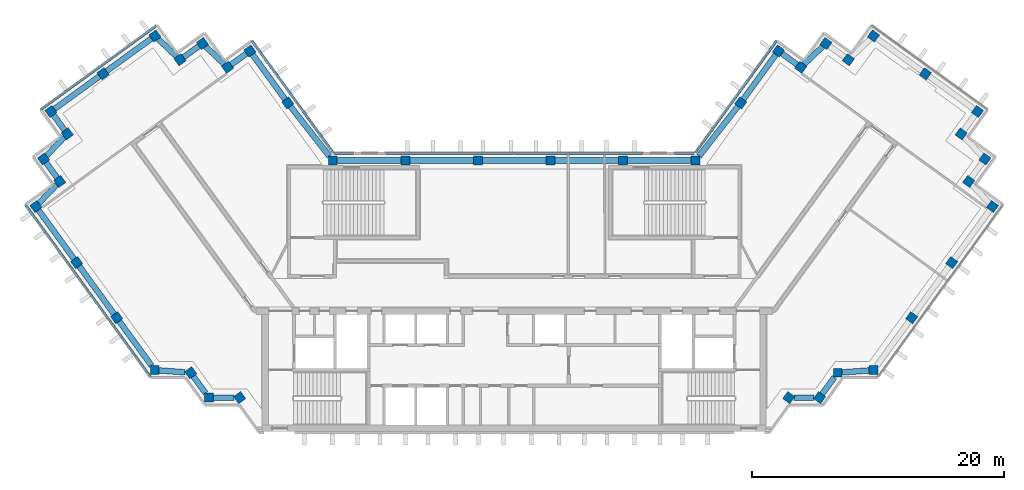
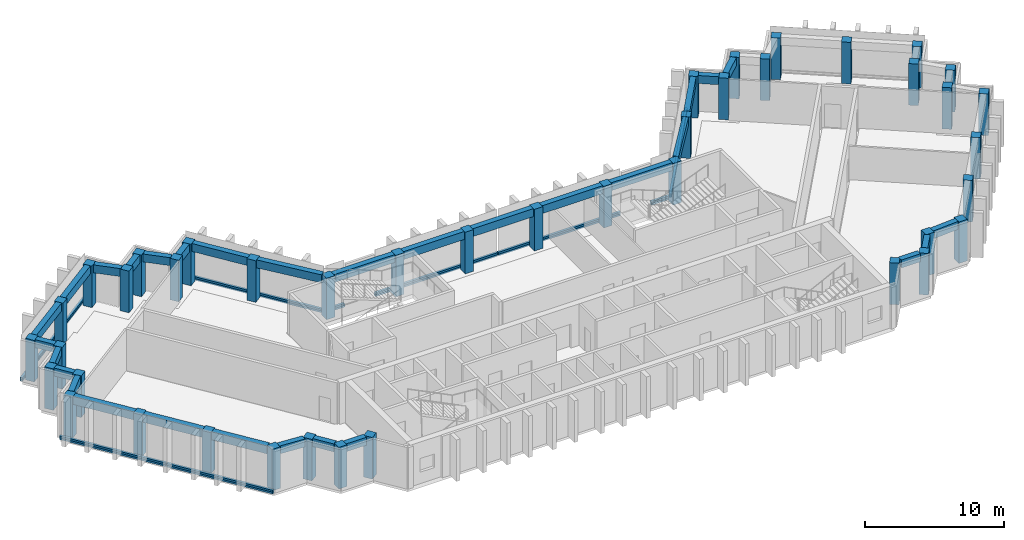
"""IFC4 building model written with IfcOpenShell, lengths in metres."""

from ifc_helpers import new_model, si_unit, direction, frame, origin, origin_2d, place, context, subcontext, project, spatial, rectangle, extrude, material, material_profile, profile_set, type_object, element, aggregate, save


model = new_model("IFC4")

# Units and contexts
model_context = context("Model", 3, precision=1e-05, world=origin(), true_north=direction((0.0, 1.0)))
body_context = subcontext(model_context, "Body", "Model", "MODEL_VIEW")
ifc_project = project(units=[si_unit("LENGTHUNIT", "METRE"), si_unit("AREAUNIT", "SQUARE_METRE"), si_unit("VOLUMEUNIT", "CUBIC_METRE"), si_unit("PLANEANGLEUNIT", "RADIAN"), si_unit("MASSUNIT", "GRAM", prefix="KILO")], contexts=[model_context])

# Site, building, storey
site_placement = place(None, origin())
site = spatial("IfcSite", under=ifc_project, at=site_placement, CompositionType="ELEMENT")
building_placement = place(site_placement, origin())
building = spatial("IfcBuilding", under=site, at=building_placement, Name="Quipu Civic Tower", CompositionType="ELEMENT")
storey_1_placement = place(building_placement, frame((0.0, 0.0, 343.0)))
storey_1 = spatial("IfcBuildingStorey", under=building, at=storey_1_placement, Name="L80", CompositionType="ELEMENT", Elevation=343.0)

# Columns
ifc_material_1 = material(Name="Concrete C40/50", Category="concrete")
ifc_material_profile_1 = material_profile(ifc_material_1, rectangle(XDim=0.699951171875, YDim=0.699951171875, at=origin_2d()), Name="RC700x700")
ifc_profile_set_1 = profile_set([ifc_material_profile_1], Name="Concrete C40/50")
column_type = type_object("IfcColumnType", Name="Perimeter column RC 700x700 C40/50", PredefinedType="COLUMN", material=ifc_profile_set_1)
for number, where, z_axis, x_axis, name in (
    (1, (-17.9736328125, 15.074951171875, 0.0), (0.0, 0.0, 1.0), (-0.587785252292, 0.809016994375, 0.0), "Column L80 W-IN-01"),
    (2, (-20.969970703125, 19.195068359375, 0.0), (0.0, 0.0, 1.0), (-0.587785252292, 0.809016994375, 0.0), "Column L80 T-Wi.0-W22"),
    (3, (-22.749267578125, 17.904296875, 0.0), (0.0, 0.0, 1.0), (-0.587785252292, 0.809016994375, 0.0), "Column L80 T-Wi.1-W22"),
    (4, (-24.739990234375, 19.794921875, 0.0), (0.0, 0.0, 1.0), (-0.587785252292, 0.809016994375, 0.0), "Column L80 T-Wi.2-W22"),
    (5, (-26.51904296875, 18.50048828125, 0.0), (0.0, 0.0, 1.0), (-0.587785252292, 0.809016994375, 0.0), "Column L80 T-Wi.3-W22"),
    (6, (-28.510009765625, 20.389892578125, 0.0), (0.0, 0.0, 1.0), (-0.809016994375, -0.587785252292, 0.0), "Column L80 T-Wi.4-W22"),
    (7, (-32.636962890625, 17.39306640625, 0.0), (0.0, 0.0, 1.0), (-0.809016994375, -0.587785252292, 0.0), "Column L80 TIP-W-01-W22"),
    (8, (-36.764892578125, 14.39501953125, 0.0), (0.0, 0.0, 1.0), (0.587785252292, -0.809016994375, 0.0), "Column L80 T-Wo.0-W22"),
    (9, (-35.470703125, 12.616455078125, 0.0), (0.0, 0.0, 1.0), (-0.809016994375, -0.587785252292, 0.0), "Column L80 T-Wo.1-W22"),
    (10, (-37.360107421875, 10.625, 0.0), (0.0, 0.0, 1.0), (0.587785252292, -0.809016994375, 0.0), "Column L80 T-Wo.2-W22"),
    (11, (-36.068115234375, 8.843994140625, 0.0), (0.0, 0.0, 1.0), (0.587785252292, -0.809016994375, 0.0), "Column L80 T-Wo.3-W22"),
    (12, (-37.9599609375, 6.85498046875, 0.0), (0.0, 0.0, 1.0), (0.587785252292, -0.809016994375, 0.0), "Column L80 T-Wo.4-W22"),
    (13, (-34.722412109375, 2.39990234375, 0.0), (0.0, 0.0, 1.0), (0.587785252292, -0.809016994375, 0.0), "Column L80 W-OUT-02"),
    (14, (-31.54833984375, -1.96875, 0.0), (0.0, 0.0, 1.0), (0.587785252292, -0.809016994375, 0.0), "Column L80 W-OUT-01"),
    (15, (-28.52490234375, -6.1298828125, 0.0), (0.0, 0.0, 1.0), (1.0, 0.0, 0.0), "Column L80 J-Wo.0"),
    (16, (-25.67431640625, -6.3369140625, 0.0), (0.0, 0.0, 1.0), (0.587785252292, -0.809016994375, 0.0), "Column L80 J-Wo.1"),
    (17, (-24.235107421875, -8.31494140625, 0.0), (0.0, 0.0, 1.0), (1.0, 0.0, 0.0), "Column L80 J-Wo.2"),
    (18, (-21.791748046875, -8.31494140625, 0.0), (0.0, 0.0, 1.0), (0.587785252292, -0.809016994375, 0.0), "Column L80 J-Wo.3"),
    (19, (21.791748046875, -8.31494140625, 0.0), (0.0, 0.0, 1.0), (0.587785252292, 0.809016994375, 0.0), "Column L80 J-Eo.1"),
    (20, (24.235107421875, -8.31494140625, 0.0), (0.0, 0.0, 1.0), (0.587785252292, 0.809016994375, 0.0), "Column L80 J-Eo.2"),
    (21, (25.67431640625, -6.3369140625, 0.0), (0.0, 0.0, 1.0), (1.0, 0.0, 0.0), "Column L80 J-Eo.3"),
    (22, (28.52490234375, -6.1298828125, 0.0), (0.0, 0.0, 1.0), (1.0, 0.0, 0.0), "Column L80 J-Eo.4"),
    (23, (31.54833984375, -1.96875, 0.0), (0.0, 0.0, 1.0), (0.587785252292, 0.809016994375, 0.0), "Column L80 E-OUT-01"),
    (24, (34.722412109375, 2.39990234375, 0.0), (0.0, 0.0, 1.0), (0.587785252292, 0.809016994375, 0.0), "Column L80 E-OUT-02"),
    (25, (37.9599609375, 6.85498046875, 0.0), (0.0, 0.0, 1.0), (0.587785252292, 0.809016994375, 0.0), "Column L80 T-Eo.0-E22"),
    (26, (36.068115234375, 8.843994140625, 0.0), (0.0, 0.0, 1.0), (0.587785252292, 0.809016994375, 0.0), "Column L80 T-Eo.1-E22"),
    (27, (37.360107421875, 10.625, 0.0), (0.0, 0.0, 1.0), (0.587785252292, 0.809016994375, 0.0), "Column L80 T-Eo.2-E22"),
    (28, (35.470703125, 12.616455078125, 0.0), (0.0, 0.0, 1.0), (-0.809016994375, 0.587785252292, 0.0), "Column L80 T-Eo.3-E22"),
    (29, (36.764892578125, 14.39501953125, 0.0), (0.0, 0.0, 1.0), (-0.809016994375, 0.587785252292, 0.0), "Column L80 T-Eo.4-E22"),
    (30, (32.636962890625, 17.39306640625, 0.0), (0.0, 0.0, 1.0), (-0.809016994375, 0.587785252292, 0.0), "Column L80 TIP-E-01-E22"),
    (31, (28.510009765625, 20.389892578125, 0.0), (0.0, 0.0, 1.0), (-0.587785252292, -0.809016994375, 0.0), "Column L80 T-Ei.0-E22"),
    (32, (26.51904296875, 18.50048828125, 0.0), (0.0, 0.0, 1.0), (-0.809016994375, 0.587785252292, 0.0), "Column L80 T-Ei.1-E22"),
    (33, (24.739990234375, 19.794921875, 0.0), (0.0, 0.0, 1.0), (-0.587785252292, -0.809016994375, 0.0), "Column L80 T-Ei.2-E22"),
    (34, (22.749267578125, 17.904296875, 0.0), (0.0, 0.0, 1.0), (-0.587785252292, -0.809016994375, 0.0), "Column L80 T-Ei.3-E22"),
    (35, (20.969970703125, 19.195068359375, 0.0), (0.0, 0.0, 1.0), (-0.587785252292, -0.809016994375, 0.0), "Column L80 T-Ei.4-E22"),
    (36, (17.9736328125, 15.074951171875, 0.0), (0.0, 0.0, 1.0), (-0.587785252292, -0.809016994375, 0.0), "Column L80 E-IN-01"),
    (37, (14.395263671875, 10.5, 0.0), (0.0, 0.0, 1.0), (-1.0, 0.0, 0.0), "Column L80 J-Ei.0"),
    (38, (8.63720703125, 10.5, 0.0), (0.0, 0.0, 1.0), (-1.0, 0.0, 0.0), "Column L80 FRONT-01"),
    (39, (2.87890625, 10.5, 0.0), (0.0, 0.0, 1.0), (-1.0, 0.0, 0.0), "Column L80 FRONT-02"),
    (40, (-2.87890625, 10.5, 0.0), (0.0, 0.0, 1.0), (-1.0, 0.0, 0.0), "Column L80 FRONT-03"),
    (41, (-8.63720703125, 10.5, 0.0), (0.0, 0.0, 1.0), (-1.0, 0.0, 0.0), "Column L80 FRONT-04"),
    (42, (-14.395263671875, 10.5, 0.0), (0.0, 0.0, 1.0), (-1.0, 0.0, 0.0), "Column L80 J-Wi.0"),
):
    element("IfcColumn", number, at=place(storey_1_placement, frame(where, z_axis=z_axis, x_axis=x_axis)), inside=storey_1, type_object=column_type, Name=name, PredefinedType="COLUMN", context=body_context, shape_type="SweptSolid", body=[
        extrude(rectangle(XDim=0.699951171875, YDim=0.699951171875, at=origin_2d()), origin(), (0.0, 0.0, 1.0), 3.64990234375),
    ])

# Beams
ifc_material_2 = material(Name="Concrete C50/60", Category="concrete")
ifc_material_profile_2 = material_profile(ifc_material_2, rectangle(XDim=0.449951171875, YDim=0.699951171875, at=origin_2d()), Name="RC450x700")
ifc_profile_set_2 = profile_set([ifc_material_profile_2], Name="Concrete C50/60")
beam_type = type_object("IfcBeamType", Name="Spandrel beam RC 450x700 C50/60", PredefinedType="SPANDREL", material=ifc_profile_set_2)
beam_1_placement = place(storey_1_placement, frame((-18.179443359375, 15.358154296875, 3.300048828125), z_axis=(-0.588201428764, 0.808714460857, 0.0), x_axis=(-0.808714460857, -0.588201428764, 0.0)))
element("IfcBeam", 43, at=beam_1_placement, inside=storey_1, type_object=beam_type, Name="Spandrel beam L80 W-IN-01 to T-Wi.0-W22", PredefinedType="SPANDREL", context=body_context, shape_type="SweptSolid", body=[
    extrude(rectangle(XDim=0.449951171875, YDim=0.699951171875, at=origin_2d()), origin(), (0.0, 0.0, 1.0), 4.394287109375),
])
beam_2_placement = place(storey_1_placement, frame((-21.25341796875, 18.989501953125, 3.300048828125), z_axis=(-0.809461336076, -0.587173181776, 0.0), x_axis=(0.587173181776, -0.809461336076, 0.0)))
element("IfcBeam", 44, at=beam_2_placement, inside=storey_1, type_object=beam_type, Name="Spandrel beam L80 T-Wi.0-W22 to T-Wi.1-W22", PredefinedType="SPANDREL", context=body_context, shape_type="SweptSolid", body=[
    extrude(rectangle(XDim=0.449951171875, YDim=0.699951171875, at=origin_2d()), origin(), (0.0, 0.0, 1.0), 1.498046875),
])
beam_3_placement = place(storey_1_placement, frame((-23.00732421875, 18.1494140625, 3.300048828125), z_axis=(-0.72511931772, 0.6886232461, 0.0), x_axis=(-0.6886232461, -0.72511931772, 0.0)))
element("IfcBeam", 45, at=beam_3_placement, inside=storey_1, type_object=beam_type, Name="Spandrel beam L80 T-Wi.1-W22 to T-Wi.2-W22", PredefinedType="SPANDREL", context=body_context, shape_type="SweptSolid", body=[
    extrude(rectangle(XDim=0.449951171875, YDim=0.699951171875, at=origin_2d()), origin(), (0.0, 0.0, 1.0), 2.03369140625),
])
beam_4_placement = place(storey_1_placement, frame((-25.02294921875, 19.589111328125, 3.300048828125), z_axis=(-0.808644589435, -0.588297482553, 0.0), x_axis=(0.588297482553, -0.808644589435, 0.0)))
element("IfcBeam", 46, at=beam_4_placement, inside=storey_1, type_object=beam_type, Name="Spandrel beam L80 T-Wi.2-W22 to T-Wi.3-W22", PredefinedType="SPANDREL", context=body_context, shape_type="SweptSolid", body=[
    extrude(rectangle(XDim=0.449951171875, YDim=0.699951171875, at=origin_2d()), origin(), (0.0, 0.0, 1.0), 1.500244140625),
])
beam_5_placement = place(storey_1_placement, frame((-26.777099609375, 18.74560546875, 3.300048828125), z_axis=(-0.725359138958, 0.688370626574, 0.0), x_axis=(-0.688370626574, -0.725359138958, 0.0)))
element("IfcBeam", 47, at=beam_5_placement, inside=storey_1, type_object=beam_type, Name="Spandrel beam L80 T-Wi.3-W22 to T-Wi.4-W22", PredefinedType="SPANDREL", context=body_context, shape_type="SweptSolid", body=[
    extrude(rectangle(XDim=0.449951171875, YDim=0.699951171875, at=origin_2d()), origin(), (0.0, 0.0, 1.0), 2.032958984375),
])
beam_6_placement = place(storey_1_placement, frame((-28.793212890625, 20.184326171875, 3.300048828125), z_axis=(-0.809146152767, -0.587607439931, 0.0), x_axis=(0.587607439931, -0.809146152767, 0.0)))
element("IfcBeam", 48, at=beam_6_placement, inside=storey_1, type_object=beam_type, Name="Spandrel beam L80 T-Wi.4-W22 to TIP-W-01-W22", PredefinedType="SPANDREL", context=body_context, shape_type="SweptSolid", body=[
    extrude(rectangle(XDim=0.449951171875, YDim=0.699951171875, at=origin_2d()), origin(), (0.0, 0.0, 1.0), 4.400390625),
])
beam_7_placement = place(storey_1_placement, frame((-32.920166015625, 17.187255859375, 3.300048828125), z_axis=(-0.809117270763, -0.587647208921, 0.0), x_axis=(0.587647208921, -0.809117270763, 0.0)))
element("IfcBeam", 49, at=beam_7_placement, inside=storey_1, type_object=beam_type, Name="Spandrel beam L80 TIP-W-01-W22 to T-Wo.0-W22", PredefinedType="SPANDREL", context=body_context, shape_type="SweptSolid", body=[
    extrude(rectangle(XDim=0.449951171875, YDim=0.699951171875, at=origin_2d()), origin(), (0.0, 0.0, 1.0), 4.40185546875),
])
beam_8_placement = place(storey_1_placement, frame((-36.55908203125, 14.112060546875, 3.300048828125), z_axis=(0.588345920092, -0.808609348394, 0.0), x_axis=(0.808609348394, 0.588345920092, 0.0)))
element("IfcBeam", 50, at=beam_8_placement, inside=storey_1, type_object=beam_type, Name="Spandrel beam L80 T-Wo.0-W22 to T-Wo.1-W22", PredefinedType="SPANDREL", context=body_context, shape_type="SweptSolid", body=[
    extrude(rectangle(XDim=0.449951171875, YDim=0.699951171875, at=origin_2d()), origin(), (0.0, 0.0, 1.0), 1.499755859375),
])
beam_9_placement = place(storey_1_placement, frame((-35.7158203125, 12.358154296875, 3.300048828125), z_axis=(-0.688247466856, -0.725475998477, 0.0), x_axis=(0.725475998477, -0.688247466856, 0.0)))
element("IfcBeam", 51, at=beam_9_placement, inside=storey_1, type_object=beam_type, Name="Spandrel beam L80 T-Wo.1-W22 to T-Wo.2-W22", PredefinedType="SPANDREL", context=body_context, shape_type="SweptSolid", body=[
    extrude(rectangle(XDim=0.449951171875, YDim=0.699951171875, at=origin_2d()), origin(), (0.0, 0.0, 1.0), 2.032958984375),
])
beam_10_placement = place(storey_1_placement, frame((-37.154541015625, 10.341796875, 3.300048828125), z_axis=(0.587164895097, -0.809467347066, 0.0), x_axis=(0.809467347066, 0.587164895097, 0.0)))
element("IfcBeam", 52, at=beam_10_placement, inside=storey_1, type_object=beam_type, Name="Spandrel beam L80 T-Wo.2-W22 to T-Wo.3-W22", PredefinedType="SPANDREL", context=body_context, shape_type="SweptSolid", body=[
    extrude(rectangle(XDim=0.449951171875, YDim=0.699951171875, at=origin_2d()), origin(), (0.0, 0.0, 1.0), 1.500244140625),
])
beam_11_placement = place(storey_1_placement, frame((-36.3134765625, 8.586181640625, 3.300048828125), z_axis=(-0.689175330605, -0.724594620244, 0.0), x_axis=(0.724594620244, -0.689175330605, 0.0)))
element("IfcBeam", 53, at=beam_11_placement, inside=storey_1, type_object=beam_type, Name="Spandrel beam L80 T-Wo.3-W22 to T-Wo.4-W22", PredefinedType="SPANDREL", context=body_context, shape_type="SweptSolid", body=[
    extrude(rectangle(XDim=0.449951171875, YDim=0.699951171875, at=origin_2d()), origin(), (0.0, 0.0, 1.0), 2.033447265625),
])
beam_12_placement = place(storey_1_placement, frame((-37.754150390625, 6.57177734375, 3.300048828125), z_axis=(0.587905928359, -0.808929304328, 0.0), x_axis=(0.808929304328, 0.587905928359, 0.0)))
element("IfcBeam", 54, at=beam_12_placement, inside=storey_1, type_object=beam_type, Name="Spandrel beam L80 T-Wo.4-W22 to W-OUT-02", PredefinedType="SPANDREL", context=body_context, shape_type="SweptSolid", body=[
    extrude(rectangle(XDim=0.449951171875, YDim=0.699951171875, at=origin_2d()), origin(), (0.0, 0.0, 1.0), 4.80712890625),
])
beam_13_placement = place(storey_1_placement, frame((-34.5166015625, 2.116943359375, 3.300048828125), z_axis=(0.587788656305, -0.809014521204, 0.0), x_axis=(0.809014521204, 0.587788656305, 0.0)))
element("IfcBeam", 55, at=beam_13_placement, inside=storey_1, type_object=beam_type, Name="Spandrel beam L80 W-OUT-02 to W-OUT-01", PredefinedType="SPANDREL", context=body_context, shape_type="SweptSolid", body=[
    extrude(rectangle(XDim=0.449951171875, YDim=0.699951171875, at=origin_2d()), origin(), (0.0, 0.0, 1.0), 4.7001953125),
])
beam_14_placement = place(storey_1_placement, frame((-31.342529296875, -2.251953125, 3.300048828125), z_axis=(0.58777550284, -0.809024077677, 0.0), x_axis=(0.809024077677, 0.58777550284, 0.0)))
element("IfcBeam", 56, at=beam_14_placement, inside=storey_1, type_object=beam_type, Name="Spandrel beam L80 W-OUT-01 to J-Wo.0", PredefinedType="SPANDREL", context=body_context, shape_type="SweptSolid", body=[
    extrude(rectangle(XDim=0.449951171875, YDim=0.699951171875, at=origin_2d()), origin(), (0.0, 0.0, 1.0), 4.36083984375),
])
beam_15_placement = place(storey_1_placement, frame((-28.175048828125, -6.155517578125, 3.300048828125), z_axis=(0.99737333325, -0.072432272649, 0.0), x_axis=(0.072432272649, 0.99737333325, 0.0)))
element("IfcBeam", 57, at=beam_15_placement, inside=storey_1, type_object=beam_type, Name="Spandrel beam L80 J-Wo.0 to J-Wo.1", PredefinedType="SPANDREL", context=body_context, shape_type="SweptSolid", body=[
    extrude(rectangle(XDim=0.449951171875, YDim=0.699951171875, at=origin_2d()), origin(), (0.0, 0.0, 1.0), 2.04931640625),
])
beam_16_placement = place(storey_1_placement, frame((-25.468505859375, -6.6201171875, 3.300048828125), z_axis=(0.588407300614, -0.80856468423, 0.0), x_axis=(0.80856468423, 0.588407300614, 0.0)))
element("IfcBeam", 58, at=beam_16_placement, inside=storey_1, type_object=beam_type, Name="Spandrel beam L80 J-Wo.1 to J-Wo.2", PredefinedType="SPANDREL", context=body_context, shape_type="SweptSolid", body=[
    extrude(rectangle(XDim=0.449951171875, YDim=0.699951171875, at=origin_2d()), origin(), (0.0, 0.0, 1.0), 1.663330078125),
])
beam_17_placement = place(storey_1_placement, frame((-23.885009765625, -8.31494140625, 3.300048828125), z_axis=(1.0, 0.0, 0.0), x_axis=(0.0, 1.0, 0.0)))
element("IfcBeam", 59, at=beam_17_placement, inside=storey_1, type_object=beam_type, Name="Spandrel beam L80 J-Wo.2 to J-Wo.3", PredefinedType="SPANDREL", context=body_context, shape_type="SweptSolid", body=[
    extrude(rectangle(XDim=0.449951171875, YDim=0.699951171875, at=origin_2d()), origin(), (0.0, 0.0, 1.0), 1.66064453125),
])
beam_18_placement = place(storey_1_placement, frame((22.224365234375, -8.31494140625, 3.300048828125), z_axis=(1.0, 0.0, 0.0), x_axis=(0.0, 1.0, 0.0)))
element("IfcBeam", 60, at=beam_18_placement, inside=storey_1, type_object=beam_type, Name="Spandrel beam L80 J-Eo.1 to J-Eo.2", PredefinedType="SPANDREL", context=body_context, shape_type="SweptSolid", body=[
    extrude(rectangle(XDim=0.449951171875, YDim=0.699951171875, at=origin_2d()), origin(), (0.0, 0.0, 1.0), 1.578125),
])
beam_19_placement = place(storey_1_placement, frame((24.44091796875, -8.031982421875, 3.300048828125), z_axis=(0.588407300614, 0.80856468423, 0.0), x_axis=(-0.80856468423, 0.588407300614, 0.0)))
element("IfcBeam", 61, at=beam_19_placement, inside=storey_1, type_object=beam_type, Name="Spandrel beam L80 J-Eo.2 to J-Eo.3", PredefinedType="SPANDREL", context=body_context, shape_type="SweptSolid", body=[
    extrude(rectangle(XDim=0.449951171875, YDim=0.699951171875, at=origin_2d()), origin(), (0.0, 0.0, 1.0), 1.663330078125),
])
beam_20_placement = place(storey_1_placement, frame((26.0244140625, -6.3115234375, 3.300048828125), z_axis=(0.997379352029, 0.072349347934, 0.0), x_axis=(-0.072349347934, 0.997379352029, 0.0)))
element("IfcBeam", 62, at=beam_20_placement, inside=storey_1, type_object=beam_type, Name="Spandrel beam L80 J-Eo.3 to J-Eo.4", PredefinedType="SPANDREL", context=body_context, shape_type="SweptSolid", body=[
    extrude(rectangle(XDim=0.449951171875, YDim=0.699951171875, at=origin_2d()), origin(), (0.0, 0.0, 1.0), 2.15625),
])
beam_21_placement = place(storey_1_placement, frame((24.48193359375, 19.5498046875, 3.300048828125), z_axis=(-0.72511931772, -0.6886232461, 0.0), x_axis=(0.6886232461, -0.72511931772, 0.0)))
element("IfcBeam", 63, at=beam_21_placement, inside=storey_1, type_object=beam_type, Name="Spandrel beam L80 T-Ei.2-E22 to T-Ei.3-E22", PredefinedType="SPANDREL", context=body_context, shape_type="SweptSolid", body=[
    extrude(rectangle(XDim=0.449951171875, YDim=0.699951171875, at=origin_2d()), origin(), (0.0, 0.0, 1.0), 2.03369140625),
])
beam_22_placement = place(storey_1_placement, frame((22.466064453125, 18.10986328125, 3.300048828125), z_axis=(-0.809461336076, 0.587173181776, 0.0), x_axis=(-0.587173181776, -0.809461336076, 0.0)))
element("IfcBeam", 64, at=beam_22_placement, inside=storey_1, type_object=beam_type, Name="Spandrel beam L80 T-Ei.3-E22 to T-Ei.4-E22", PredefinedType="SPANDREL", context=body_context, shape_type="SweptSolid", body=[
    extrude(rectangle(XDim=0.449951171875, YDim=0.699951171875, at=origin_2d()), origin(), (0.0, 0.0, 1.0), 1.498046875),
])
beam_23_placement = place(storey_1_placement, frame((20.76416015625, 18.911865234375, 3.300048828125), z_axis=(-0.588201428764, -0.808714460857, 0.0), x_axis=(0.808714460857, -0.588201428764, 0.0)))
element("IfcBeam", 65, at=beam_23_placement, inside=storey_1, type_object=beam_type, Name="Spandrel beam L80 T-Ei.4-E22 to E-IN-01", PredefinedType="SPANDREL", context=body_context, shape_type="SweptSolid", body=[
    extrude(rectangle(XDim=0.449951171875, YDim=0.699951171875, at=origin_2d()), origin(), (0.0, 0.0, 1.0), 4.394287109375),
])
beam_24_placement = place(storey_1_placement, frame((17.7578125, 14.799072265625, 3.300048828125), z_axis=(-0.616106034519, -0.787663223865, 0.0), x_axis=(0.787663223865, -0.616106034519, 0.0)))
element("IfcBeam", 66, at=beam_24_placement, inside=storey_1, type_object=beam_type, Name="Spandrel beam L80 E-IN-01 to J-Ei.0", PredefinedType="SPANDREL", context=body_context, shape_type="SweptSolid", body=[
    extrude(rectangle(XDim=0.449951171875, YDim=0.699951171875, at=origin_2d()), origin(), (0.0, 0.0, 1.0), 5.013427734375),
])
for number, where, z_axis, x_axis, name in (
    (67, (14.045166015625, 10.5, 3.300048828125), (-1.0, 0.0, 0.0), (0.0, -1.0, 0.0), "Spandrel beam L80 J-Ei.0 to FRONT-01"),
    (68, (8.287109375, 10.5, 3.300048828125), (-1.0, 0.0, 0.0), (0.0, -1.0, 0.0), "Spandrel beam L80 FRONT-01 to FRONT-02"),
    (69, (2.529052734375, 10.5, 3.300048828125), (-1.0, 0.0, 0.0), (0.0, -1.0, 0.0), "Spandrel beam L80 FRONT-02 to FRONT-03"),
    (70, (-3.22900390625, 10.5, 3.300048828125), (-1.0, 0.0, 0.0), (0.0, -1.0, 0.0), "Spandrel beam L80 FRONT-03 to FRONT-04"),
    (71, (-8.987060546875, 10.5, 3.300048828125), (-1.0, 0.0, 0.0), (0.0, -1.0, 0.0), "Spandrel beam L80 FRONT-04 to J-Wi.0"),
):
    element("IfcBeam", number, at=place(storey_1_placement, frame(where, z_axis=z_axis, x_axis=x_axis)), inside=storey_1, type_object=beam_type, Name=name, PredefinedType="SPANDREL", context=body_context, shape_type="SweptSolid", body=[
        extrude(rectangle(XDim=0.449951171875, YDim=0.699951171875, at=origin_2d()), origin(), (0.0, 0.0, 1.0), 5.05810546875),
    ])
beam_25_placement = place(storey_1_placement, frame((-14.6689453125, 10.85009765625, 3.300048828125), z_axis=(-0.616106034519, 0.787663223865, 0.0), x_axis=(-0.787663223865, -0.616106034519, 0.0)))
element("IfcBeam", 72, at=beam_25_placement, inside=storey_1, type_object=beam_type, Name="Spandrel beam L80 J-Wi.0 to W-IN-01", PredefinedType="SPANDREL", context=body_context, shape_type="SweptSolid", body=[
    extrude(rectangle(XDim=0.449951171875, YDim=0.699951171875, at=origin_2d()), origin(), (0.0, 0.0, 1.0), 5.013427734375),
])

# Storey
storey_2_placement = place(building_placement, frame((0.0, 0.0, 335.0)))
storey_2 = spatial("IfcBuildingStorey", under=building, at=storey_2_placement, Name="L78", CompositionType="ELEMENT", Elevation=335.0)

# Curtain wall, member
ifc_material_3 = material(Name="Insulated glass unit", Category="glass")
curtain_wall_type = type_object("IfcCurtainWallType", Name="Office curtain wall CW1", PredefinedType="NOTDEFINED", material=ifc_material_3)
curtain_wall_1_placement = place(storey_2_placement, origin())
curtain_wall_1 = element("IfcCurtainWall", 73, at=curtain_wall_1_placement, inside=storey_2, type_object=curtain_wall_type, Name="Office curtain wall CW1 L77 run 1", PredefinedType="NOTDEFINED")
ifc_material_4 = material(Name="Anodised aluminium", Category="aluminium")
ifc_material_profile_3 = material_profile(ifc_material_4, rectangle(XDim=0.199951171875, YDim=0.159912109375, at=origin_2d()), Name="RECT 200x160")
ifc_profile_set_3 = profile_set([ifc_material_profile_3], Name="Anodised aluminium")
member_type = type_object("IfcMemberType", Name="Transom CW1", PredefinedType="USERDEFINED", material=ifc_profile_set_3)
member_1_placement = place(storey_1_placement, frame((-14.39111328125, 11.164794921875, 0.0), z_axis=(-0.587796859727, 0.809008560953, 0.0), x_axis=(-0.809008560953, -0.587796859727, 0.0)))
member_1 = element("IfcMember", 74, at=member_1_placement, inside=storey_1, type_object=member_type, Name="CW1 transom 1.4", ObjectType="TRANSOM", PredefinedType="USERDEFINED", context=body_context, shape_type="SweptSolid", body=[
    extrude(rectangle(XDim=0.199951171875, YDim=0.159912109375, at=origin_2d()), origin(), (0.0, 0.0, 1.0), 10.88427734375),
])
aggregate(curtain_wall_1, [member_1])

curtain_wall_2_placement = place(storey_2_placement, origin())
curtain_wall_2 = element("IfcCurtainWall", 75, at=curtain_wall_2_placement, inside=storey_2, type_object=curtain_wall_type, Name="Office curtain wall CW1 L77 run 6", PredefinedType="NOTDEFINED")
member_2_placement = place(storey_1_placement, frame((-28.443359375, 21.1826171875, 0.0), z_axis=(-0.809022463805, -0.587777724194, 0.0), x_axis=(0.587777724194, -0.809022463805, 0.0)))
member_2 = element("IfcMember", 76, at=member_2_placement, inside=storey_1, type_object=member_type, Name="CW1 transom 1.4", ObjectType="TRANSOM", PredefinedType="USERDEFINED", context=body_context, shape_type="SweptSolid", body=[
    extrude(rectangle(XDim=0.199951171875, YDim=0.159912109375, at=origin_2d()), origin(), (0.0, 0.0, 1.0), 11.240234375),
])
aggregate(curtain_wall_2, [member_2])

# Curtain wall, members
curtain_wall_3_placement = place(storey_2_placement, origin())
curtain_wall_3 = element("IfcCurtainWall", 77, at=curtain_wall_3_placement, inside=storey_2, type_object=curtain_wall_type, Name="Office curtain wall CW1 L77 run 11", PredefinedType="NOTDEFINED")
member_3_placement = place(storey_1_placement, frame((-38.7490234375, 6.92138671875, 0.0), z_axis=(0.587779098815, -0.809021465102, 0.0), x_axis=(0.809021465102, 0.587779098815, 0.0)))
member_3 = element("IfcMember", 78, at=member_3_placement, inside=storey_1, type_object=member_type, Name="CW1 transom 1.4", ObjectType="TRANSOM", PredefinedType="USERDEFINED", context=body_context, shape_type="SweptSolid", body=[
    extrude(rectangle(XDim=0.199951171875, YDim=0.159912109375, at=origin_2d()), origin(), (0.0, 0.0, 1.0), 8.35791015625),
])
member_4_placement = place(storey_1_placement, frame((-33.78955078125, 0.094970703125, 0.0), z_axis=(0.587812107925, -0.808997481935, 0.0), x_axis=(0.808997481935, 0.587812107925, 0.0)))
member_4 = element("IfcMember", 79, at=member_4_placement, inside=storey_1, type_object=member_type, Name="CW1 transom 2.4", ObjectType="TRANSOM", PredefinedType="USERDEFINED", context=body_context, shape_type="SweptSolid", body=[
    extrude(rectangle(XDim=0.199951171875, YDim=0.159912109375, at=origin_2d()), origin(), (0.0, 0.0, 1.0), 8.35791015625),
])
aggregate(curtain_wall_3, [member_3, member_4])

# Curtain wall, member
curtain_wall_4_placement = place(storey_2_placement, origin())
curtain_wall_4 = element("IfcCurtainWall", 80, at=curtain_wall_4_placement, inside=storey_2, type_object=curtain_wall_type, Name="Office curtain wall CW1 L77 run 26", PredefinedType="NOTDEFINED")
member_5_placement = place(storey_1_placement, frame((20.788818359375, 19.97021484375, 0.0), z_axis=(-0.587796859727, -0.809008560953, 0.0), x_axis=(0.809008560953, -0.587796859727, 0.0)))
member_5 = element("IfcMember", 81, at=member_5_placement, inside=storey_1, type_object=member_type, Name="CW1 transom 1.4", ObjectType="TRANSOM", PredefinedType="USERDEFINED", context=body_context, shape_type="SweptSolid", body=[
    extrude(rectangle(XDim=0.199951171875, YDim=0.159912109375, at=origin_2d()), origin(), (0.0, 0.0, 1.0), 10.88427734375),
])
aggregate(curtain_wall_4, [member_5])

curtain_wall_5_placement = place(storey_2_placement, origin())
curtain_wall_5 = element("IfcCurtainWall", 82, at=curtain_wall_5_placement, inside=storey_2, type_object=curtain_wall_type, Name="Office curtain wall CW1 L77 run 27", PredefinedType="NOTDEFINED")
member_6_placement = place(storey_1_placement, frame((14.26416015625, 11.10009765625, 0.0), z_axis=(-1.0, 0.0, 0.0), x_axis=(0.0, -1.0, 0.0)))
member_6 = element("IfcMember", 83, at=member_6_placement, inside=storey_1, type_object=member_type, Name="CW1 transom 1.4", ObjectType="TRANSOM", PredefinedType="USERDEFINED", context=body_context, shape_type="SweptSolid", body=[
    extrude(rectangle(XDim=0.199951171875, YDim=0.159912109375, at=origin_2d()), origin(), (0.0, 0.0, 1.0), 1.529052734375),
])
aggregate(curtain_wall_5, [member_6])

# Curtain wall, members
curtain_wall_6_placement = place(storey_2_placement, origin())
curtain_wall_6 = element("IfcCurtainWall", 84, at=curtain_wall_6_placement, inside=storey_2, type_object=curtain_wall_type, Name="Office curtain wall CW1 L77 run 29", PredefinedType="NOTDEFINED")
member_7_placement = place(storey_1_placement, frame((10.18359375, 11.10009765625, 0.0), z_axis=(-1.0, 0.0, 0.0), x_axis=(0.0, -1.0, 0.0)))
member_7 = element("IfcMember", 85, at=member_7_placement, inside=storey_1, type_object=member_type, Name="CW1 transom 1.4", ObjectType="TRANSOM", PredefinedType="USERDEFINED", context=body_context, shape_type="SweptSolid", body=[
    extrude(rectangle(XDim=0.199951171875, YDim=0.159912109375, at=origin_2d()), origin(), (0.0, 0.0, 1.0), 10.1435546875),
])
member_8_placement = place(storey_1_placement, frame((-0.0400390625, 11.10009765625, 0.0), z_axis=(-1.0, 0.0, 0.0), x_axis=(0.0, -1.0, 0.0)))
member_8 = element("IfcMember", 86, at=member_8_placement, inside=storey_1, type_object=member_type, Name="CW1 transom 2.4", ObjectType="TRANSOM", PredefinedType="USERDEFINED", context=body_context, shape_type="SweptSolid", body=[
    extrude(rectangle(XDim=0.199951171875, YDim=0.159912109375, at=origin_2d()), origin(), (0.0, 0.0, 1.0), 10.1435546875),
])
aggregate(curtain_wall_6, [member_7, member_8])

# Curtain wall, member
curtain_wall_7_placement = place(storey_2_placement, origin())
curtain_wall_7 = element("IfcCurtainWall", 87, at=curtain_wall_7_placement, inside=storey_2, type_object=curtain_wall_type, Name="Office curtain wall CW1 L77 run 31", PredefinedType="NOTDEFINED")
member_9_placement = place(storey_1_placement, frame((-12.735107421875, 11.10009765625, 0.0), z_axis=(-1.0, 0.0, 0.0), x_axis=(0.0, -1.0, 0.0)))
member_9 = element("IfcMember", 88, at=member_9_placement, inside=storey_1, type_object=member_type, Name="CW1 transom 1.4", ObjectType="TRANSOM", PredefinedType="USERDEFINED", context=body_context, shape_type="SweptSolid", body=[
    extrude(rectangle(XDim=0.199951171875, YDim=0.159912109375, at=origin_2d()), origin(), (0.0, 0.0, 1.0), 1.529052734375),
])
aggregate(curtain_wall_7, [member_9])

# Storey
storey_3_placement = place(building_placement, frame((0.0, 0.0, 347.0)))
storey_3 = spatial("IfcBuildingStorey", under=building, at=storey_3_placement, Name="L81", CompositionType="ELEMENT", Elevation=347.0)

# Curtain wall, member
curtain_wall_8_placement = place(storey_3_placement, origin())
curtain_wall_8 = element("IfcCurtainWall", 89, at=curtain_wall_8_placement, inside=storey_3, type_object=curtain_wall_type, Name="Office curtain wall CW1 L80 run 1", PredefinedType="NOTDEFINED")
member_10_placement = place(storey_1_placement, frame((-14.39111328125, 11.164794921875, 0.159912109375), z_axis=(-0.587796859727, 0.809008560953, 0.0), x_axis=(-0.809008560953, -0.587796859727, 0.0)))
member_10 = element("IfcMember", 90, at=member_10_placement, inside=storey_1, type_object=member_type, Name="CW1 transom 1.1", ObjectType="TRANSOM", PredefinedType="USERDEFINED", context=body_context, shape_type="SweptSolid", body=[
    extrude(rectangle(XDim=0.199951171875, YDim=0.159912109375, at=origin_2d()), origin(), (0.0, 0.0, 1.0), 10.88427734375),
])
aggregate(curtain_wall_8, [member_10])

curtain_wall_9_placement = place(storey_3_placement, origin())
curtain_wall_9 = element("IfcCurtainWall", 91, at=curtain_wall_9_placement, inside=storey_3, type_object=curtain_wall_type, Name="Office curtain wall CW1 L80 run 6", PredefinedType="NOTDEFINED")
member_11_placement = place(storey_1_placement, frame((-28.443359375, 21.1826171875, 0.159912109375), z_axis=(-0.809022463805, -0.587777724194, 0.0), x_axis=(0.587777724194, -0.809022463805, 0.0)))
member_11 = element("IfcMember", 92, at=member_11_placement, inside=storey_1, type_object=member_type, Name="CW1 transom 1.1", ObjectType="TRANSOM", PredefinedType="USERDEFINED", context=body_context, shape_type="SweptSolid", body=[
    extrude(rectangle(XDim=0.199951171875, YDim=0.159912109375, at=origin_2d()), origin(), (0.0, 0.0, 1.0), 11.240234375),
])
aggregate(curtain_wall_9, [member_11])

# Curtain wall, members
curtain_wall_10_placement = place(storey_3_placement, origin())
curtain_wall_10 = element("IfcCurtainWall", 93, at=curtain_wall_10_placement, inside=storey_3, type_object=curtain_wall_type, Name="Office curtain wall CW1 L80 run 11", PredefinedType="NOTDEFINED")
member_12_placement = place(storey_1_placement, frame((-38.7490234375, 6.92138671875, 0.159912109375), z_axis=(0.587779098815, -0.809021465102, 0.0), x_axis=(0.809021465102, 0.587779098815, 0.0)))
member_12 = element("IfcMember", 94, at=member_12_placement, inside=storey_1, type_object=member_type, Name="CW1 transom 1.1", ObjectType="TRANSOM", PredefinedType="USERDEFINED", context=body_context, shape_type="SweptSolid", body=[
    extrude(rectangle(XDim=0.199951171875, YDim=0.159912109375, at=origin_2d()), origin(), (0.0, 0.0, 1.0), 8.35791015625),
])
member_13_placement = place(storey_1_placement, frame((-33.78955078125, 0.094970703125, 0.159912109375), z_axis=(0.587812107925, -0.808997481935, 0.0), x_axis=(0.808997481935, 0.587812107925, 0.0)))
member_13 = element("IfcMember", 95, at=member_13_placement, inside=storey_1, type_object=member_type, Name="CW1 transom 2.1", ObjectType="TRANSOM", PredefinedType="USERDEFINED", context=body_context, shape_type="SweptSolid", body=[
    extrude(rectangle(XDim=0.199951171875, YDim=0.159912109375, at=origin_2d()), origin(), (0.0, 0.0, 1.0), 8.35791015625),
])
aggregate(curtain_wall_10, [member_12, member_13])

# Curtain wall, member
curtain_wall_11_placement = place(storey_3_placement, origin())
curtain_wall_11 = element("IfcCurtainWall", 96, at=curtain_wall_11_placement, inside=storey_3, type_object=curtain_wall_type, Name="Office curtain wall CW1 L80 run 26", PredefinedType="NOTDEFINED")
member_14_placement = place(storey_1_placement, frame((20.788818359375, 19.97021484375, 0.159912109375), z_axis=(-0.587796859727, -0.809008560953, 0.0), x_axis=(0.809008560953, -0.587796859727, 0.0)))
member_14 = element("IfcMember", 97, at=member_14_placement, inside=storey_1, type_object=member_type, Name="CW1 transom 1.1", ObjectType="TRANSOM", PredefinedType="USERDEFINED", context=body_context, shape_type="SweptSolid", body=[
    extrude(rectangle(XDim=0.199951171875, YDim=0.159912109375, at=origin_2d()), origin(), (0.0, 0.0, 1.0), 10.88427734375),
])
aggregate(curtain_wall_11, [member_14])

curtain_wall_12_placement = place(storey_3_placement, origin())
curtain_wall_12 = element("IfcCurtainWall", 98, at=curtain_wall_12_placement, inside=storey_3, type_object=curtain_wall_type, Name="Office curtain wall CW1 L80 run 27", PredefinedType="NOTDEFINED")
member_15_placement = place(storey_1_placement, frame((14.26416015625, 11.10009765625, 0.159912109375), z_axis=(-1.0, 0.0, 0.0), x_axis=(0.0, -1.0, 0.0)))
member_15 = element("IfcMember", 99, at=member_15_placement, inside=storey_1, type_object=member_type, Name="CW1 transom 1.1", ObjectType="TRANSOM", PredefinedType="USERDEFINED", context=body_context, shape_type="SweptSolid", body=[
    extrude(rectangle(XDim=0.199951171875, YDim=0.159912109375, at=origin_2d()), origin(), (0.0, 0.0, 1.0), 1.529052734375),
])
aggregate(curtain_wall_12, [member_15])

# Curtain wall, members
curtain_wall_13_placement = place(storey_3_placement, origin())
curtain_wall_13 = element("IfcCurtainWall", 100, at=curtain_wall_13_placement, inside=storey_3, type_object=curtain_wall_type, Name="Office curtain wall CW1 L80 run 29", PredefinedType="NOTDEFINED")
member_16_placement = place(storey_1_placement, frame((10.18359375, 11.10009765625, 0.159912109375), z_axis=(-1.0, 0.0, 0.0), x_axis=(0.0, -1.0, 0.0)))
member_16 = element("IfcMember", 101, at=member_16_placement, inside=storey_1, type_object=member_type, Name="CW1 transom 1.1", ObjectType="TRANSOM", PredefinedType="USERDEFINED", context=body_context, shape_type="SweptSolid", body=[
    extrude(rectangle(XDim=0.199951171875, YDim=0.159912109375, at=origin_2d()), origin(), (0.0, 0.0, 1.0), 10.1435546875),
])
member_17_placement = place(storey_1_placement, frame((-0.0400390625, 11.10009765625, 0.159912109375), z_axis=(-1.0, 0.0, 0.0), x_axis=(0.0, -1.0, 0.0)))
member_17 = element("IfcMember", 102, at=member_17_placement, inside=storey_1, type_object=member_type, Name="CW1 transom 2.1", ObjectType="TRANSOM", PredefinedType="USERDEFINED", context=body_context, shape_type="SweptSolid", body=[
    extrude(rectangle(XDim=0.199951171875, YDim=0.159912109375, at=origin_2d()), origin(), (0.0, 0.0, 1.0), 10.1435546875),
])
aggregate(curtain_wall_13, [member_16, member_17])

# Curtain wall, member
curtain_wall_14_placement = place(storey_3_placement, origin())
curtain_wall_14 = element("IfcCurtainWall", 103, at=curtain_wall_14_placement, inside=storey_3, type_object=curtain_wall_type, Name="Office curtain wall CW1 L80 run 31", PredefinedType="NOTDEFINED")
member_18_placement = place(storey_1_placement, frame((-12.735107421875, 11.10009765625, 0.159912109375), z_axis=(-1.0, 0.0, 0.0), x_axis=(0.0, -1.0, 0.0)))
member_18 = element("IfcMember", 104, at=member_18_placement, inside=storey_1, type_object=member_type, Name="CW1 transom 1.1", ObjectType="TRANSOM", PredefinedType="USERDEFINED", context=body_context, shape_type="SweptSolid", body=[
    extrude(rectangle(XDim=0.199951171875, YDim=0.159912109375, at=origin_2d()), origin(), (0.0, 0.0, 1.0), 1.529052734375),
])
aggregate(curtain_wall_14, [member_18])

save(model, "model.ifc")
